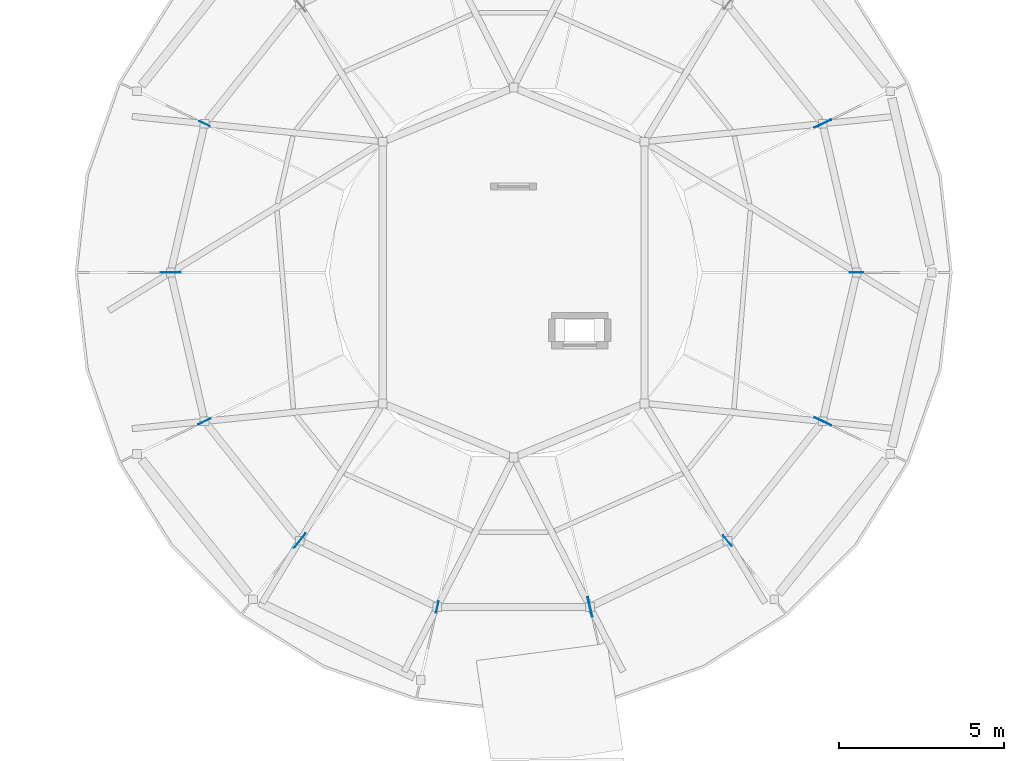
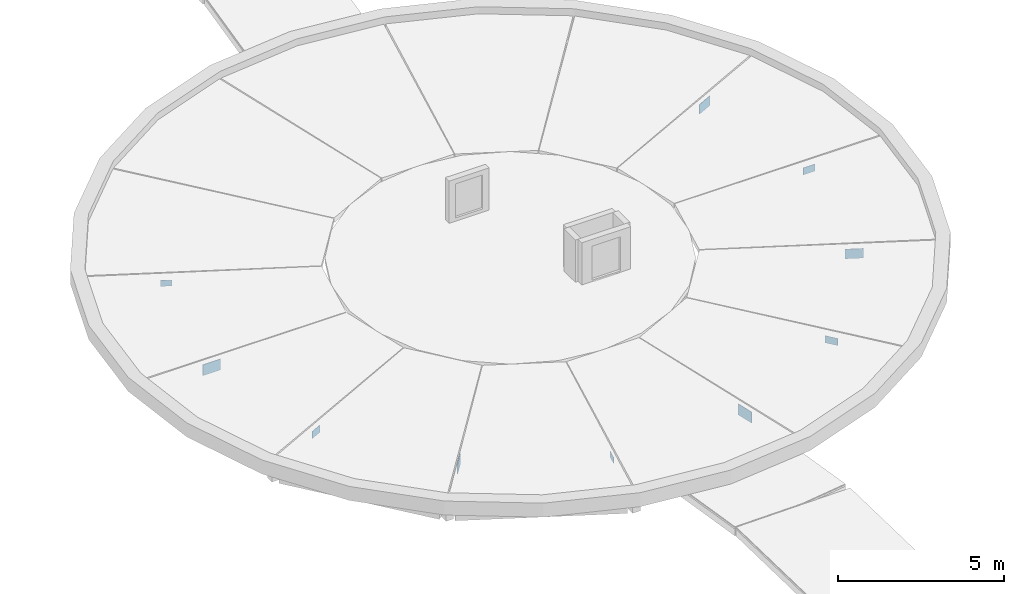
# One storey, part 26 of 58: 10 plates.
"""IFC4 building model written with IfcOpenShell, lengths in metres."""

from ifc_helpers import new_model, si_unit, direction, frame, origin, origin_2d, place, context, subcontext, project, spatial, rectangle, extrude, material, layer, layer_set, type_object, element, save


model = new_model("IFC4")

# Units and contexts
model_context = context("Model", 3, precision=1e-05, world=origin(), true_north=direction((0.0, 1.0)))
body_context = subcontext(model_context, "Body", "Model", "MODEL_VIEW")
ifc_project = project(units=[si_unit("LENGTHUNIT", "METRE"), si_unit("AREAUNIT", "SQUARE_METRE"), si_unit("VOLUMEUNIT", "CUBIC_METRE"), si_unit("PLANEANGLEUNIT", "RADIAN"), si_unit("MASSUNIT", "GRAM", prefix="KILO")], contexts=[model_context])

# Site, building, storey
site_placement = place(None, origin())
site = spatial("IfcSite", under=ifc_project, at=site_placement, CompositionType="ELEMENT")
building_placement = place(site_placement, origin())
building = spatial("IfcBuilding", under=site, at=building_placement, Name="Aldenvaro Health Centre", CompositionType="ELEMENT")
storey_placement = place(building_placement, frame((0.0, 0.0, 8.75)))
storey = spatial("IfcBuildingStorey", under=building, at=storey_placement, Name="L02", CompositionType="ELEMENT", Elevation=8.75)

# Plates
ifc_material = material(Name="Steel ASTM A572 Grade 50", Category="steel")
ifc_layer_1 = layer(ifc_material, 0.013916015625, Name="Steel ASTM A572 Grade 50", Category="steel")
ifc_layer_set_1 = layer_set([ifc_layer_1], Name="Steel ASTM A572 Grade 50")
plate_type_1 = type_object("IfcPlateType", Name="PLT-GUS-07", PredefinedType="SHEET", material=ifc_layer_set_1)
for number, where, z_axis, x_axis, name in (
    (1, (33.8798828125, 57.5, 0.28076171875), (0.0, 0.0, 1.0), (1.0, 0.0, 0.0), "D3 Rafter Eave Gusset 01"),
    (2, (14.14794921875, 52.99609375, 0.28076171875), (0.0, 0.0, 1.0), (-0.900957036052, -0.433908307352, 0.0), "D3 Rafter Eave Gusset 09"),
    (3, (29.971923828125, 49.385009765625, 0.28076171875), (0.0, 0.0, 1.0), (0.623519449274, -0.781807838524, 0.0), "D3 Rafter Eave Gusset 13"),
):
    element("IfcPlate", number, at=place(storey_placement, frame(where, z_axis=z_axis, x_axis=x_axis)), inside=storey, type_object=plate_type_1, Name=name, PredefinedType="SHEET", context=body_context, shape_type="SweptSolid", body=[
        extrude(rectangle(XDim=0.409912109375, YDim=0.013916015625, at=origin_2d()), origin(), (0.0, 0.0, 1.0), 0.260009765625),
    ])
ifc_layer_2 = layer(ifc_material, 0.01904296875, Name="Steel ASTM A572 Grade 50", Category="steel")
ifc_layer_set_2 = layer_set([ifc_layer_2], Name="Steel ASTM A572 Grade 50")
plate_type_2 = type_object("IfcPlateType", Name="PLT-GUS-08", PredefinedType="SHEET", material=ifc_layer_set_2)
for number, where, z_axis, x_axis, name in (
    (4, (32.85205078125, 62.00390625, 0.23583984375), (0.0, 0.0, 1.0), (0.900957036052, 0.433908307352, 0.0), "D3 Rafter Eave Gusset 02"),
    (5, (17.028076171875, 49.385009765625, 0.23583984375), (0.0, 0.0, 1.0), (-0.623519449274, -0.781807838524, 0.0), "D3 Rafter Eave Gusset 10"),
    (6, (32.85205078125, 52.99609375, 0.23583984375), (0.0, 0.0, 1.0), (0.900957036052, -0.433908307352, 0.0), "D3 Rafter Eave Gusset 14"),
):
    element("IfcPlate", number, at=place(storey_placement, frame(where, z_axis=z_axis, x_axis=x_axis)), inside=storey, type_object=plate_type_2, Name=name, PredefinedType="SHEET", context=body_context, shape_type="SweptSolid", body=[
        extrude(rectangle(XDim=0.550048828125, YDim=0.01904296875, at=origin_2d()), origin(), (0.0, 0.0, 1.0), 0.35009765625),
    ])
ifc_layer_3 = layer(ifc_material, 0.011962890625, Name="Steel ASTM A572 Grade 50", Category="steel")
ifc_layer_set_3 = layer_set([ifc_layer_3], Name="Steel ASTM A572 Grade 50")
plate_type_3 = type_object("IfcPlateType", Name="PLT-GUS-09", PredefinedType="SHEET", material=ifc_layer_set_3)
for number, where, z_axis, x_axis, name in (
    (7, (14.14794921875, 62.00390625, 0.30078125), (0.0, 0.0, 1.0), (-0.900957036052, 0.433908307352, 0.0), "D3 Rafter Eave Gusset 07"),
    (8, (21.18994140625, 47.3798828125, 0.30078125), (0.0, 0.0, 1.0), (-0.22253705317, -0.974924232936, 0.0), "D3 Rafter Eave Gusset 11"),
):
    element("IfcPlate", number, at=place(storey_placement, frame(where, z_axis=z_axis, x_axis=x_axis)), inside=storey, type_object=plate_type_3, Name=name, PredefinedType="SHEET", context=body_context, shape_type="SweptSolid", body=[
        extrude(rectangle(XDim=0.35009765625, YDim=0.011962890625, at=origin_2d()), origin(), (0.0, 0.0, 1.0), 0.219970703125),
    ])
ifc_layer_4 = layer(ifc_material, 0.02099609375, Name="Steel ASTM A572 Grade 50", Category="steel")
ifc_layer_set_4 = layer_set([ifc_layer_4], Name="Steel ASTM A572 Grade 50")
plate_type_4 = type_object("IfcPlateType", Name="PLT-GUS-10", PredefinedType="SHEET", material=ifc_layer_set_4)
for number, where, z_axis, x_axis, name in (
    (9, (13.1201171875, 57.5, 0.2109375), (0.0, 0.0, 1.0), (-1.0, 0.0, 0.0), "D3 Rafter Eave Gusset 08"),
    (10, (25.81005859375, 47.3798828125, 0.2109375), (0.0, 0.0, 1.0), (0.22253705317, -0.974924232936, 0.0), "D3 Rafter Eave Gusset 12"),
):
    element("IfcPlate", number, at=place(storey_placement, frame(where, z_axis=z_axis, x_axis=x_axis)), inside=storey, type_object=plate_type_4, Name=name, PredefinedType="SHEET", context=body_context, shape_type="SweptSolid", body=[
        extrude(rectangle(XDim=0.610107421875, YDim=0.02099609375, at=origin_2d()), origin(), (0.0, 0.0, 1.0), 0.39990234375),
    ])

save(model, "model.ifc")
